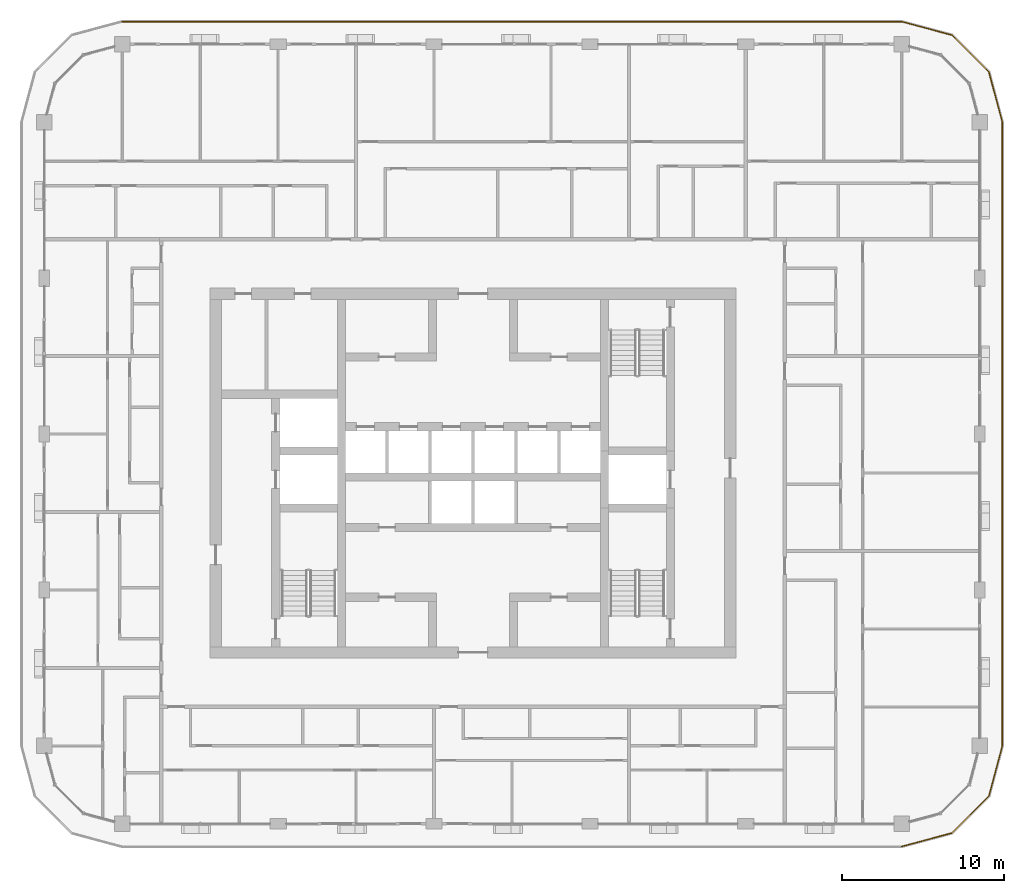
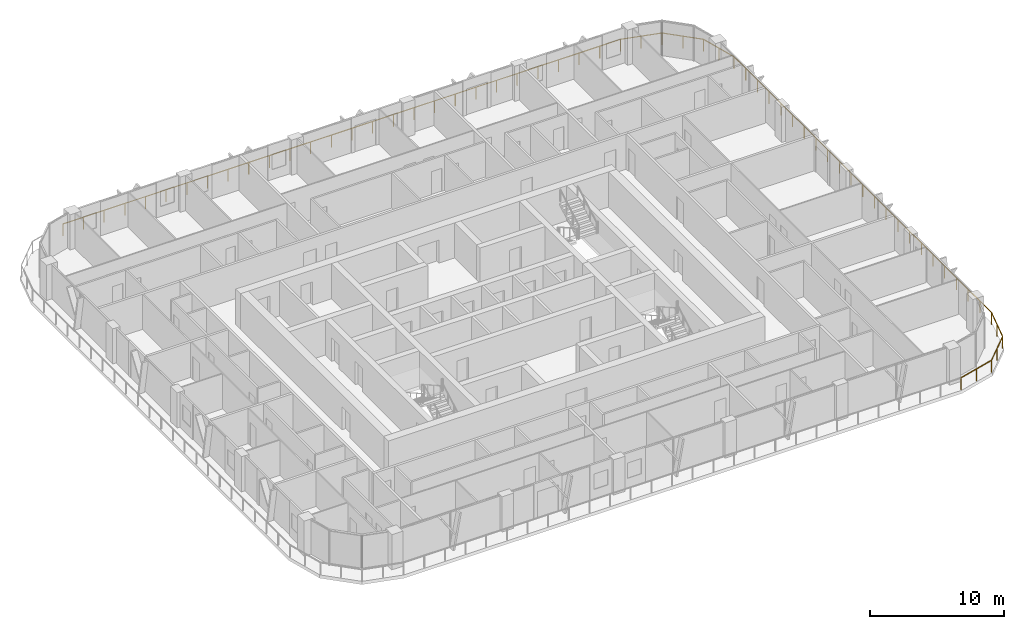
# One storey, part 20 of 22: 1 railing.
"""IFC4 building model written with IfcOpenShell, lengths in metres."""

from ifc_helpers import new_model, si_unit, direction, frame, origin, origin_2d, place, context, subcontext, project, spatial, circle, extrude, material, type_object, element, save


model = new_model("IFC4")

# Units and contexts
model_context = context("Model", 3, precision=1e-05, world=origin(), true_north=direction((0.0, 1.0)))
body_context = subcontext(model_context, "Body", "Model", "MODEL_VIEW")
ifc_project = project(units=[si_unit("LENGTHUNIT", "METRE"), si_unit("AREAUNIT", "SQUARE_METRE"), si_unit("VOLUMEUNIT", "CUBIC_METRE"), si_unit("PLANEANGLEUNIT", "RADIAN"), si_unit("MASSUNIT", "GRAM", prefix="KILO")], contexts=[model_context])

# Site, building, storey
site_placement = place(None, origin())
site = spatial("IfcSite", under=ifc_project, at=site_placement, CompositionType="ELEMENT")
building_placement = place(site_placement, origin())
building = spatial("IfcBuilding", under=site, at=building_placement, Name="Madar Terraces", CompositionType="ELEMENT")
storey_placement = place(building_placement, frame((0.0, 0.0, 208.800048828125)))
storey = spatial("IfcBuildingStorey", under=building, at=storey_placement, Name="L54", CompositionType="ELEMENT", Elevation=208.800048828125)

# Railing
ifc_material = material(Name="Glass, safety glazing, with stainless steel posts", Category="steel")
railing_type = type_object("IfcRailingType", Name="Balcony glass guard 1100", PredefinedType="GUARDRAIL", material=ifc_material)
railing_placement = place(storey_placement, frame((57.60009765625, 3.39990234375, 0.0)))
element("IfcRailing", 1, at=railing_placement, inside=storey, type_object=railing_type, Name="Balcony guard", PredefinedType="GUARDRAIL", context=body_context, shape_type="SweptSolid", body=[
    extrude(circle(Radius=0.02392578125, at=origin_2d()), frame((0.0, 0.0, 1.076171875), z_axis=(0.965909675762, 0.25887931217, 0.0), x_axis=(-0.25887931217, 0.965909675762, 0.0)), (0.0, 0.0, 1.0), 3.209228515625),
    extrude(circle(Radius=0.02392578125, at=origin_2d()), frame((3.099853515625, 0.830810546875, 1.076171875), z_axis=(0.707144815061, 0.707068745266, 0.0), x_axis=(-0.707068745266, 0.707144815061, 0.0)), (0.0, 0.0, 1.0), 3.20947265625),
    extrude(circle(Radius=0.02392578125, at=origin_2d()), frame((5.369384765625, 3.10009765625, 1.076171875), z_axis=(0.258789317819, 0.9659337912, 0.0), x_axis=(-0.9659337912, 0.258789317819, 0.0)), (0.0, 0.0, 1.0), 3.20947265625),
    extrude(circle(Radius=0.02392578125, at=origin_2d()), frame((6.199951171875, 6.2001953125, 1.076171875), z_axis=(0.0, 1.0, 0.0), x_axis=(-1.0, 0.0, 0.0)), (0.0, 0.0, 1.0), 38.39990234375),
    extrude(circle(Radius=0.02392578125, at=origin_2d()), frame((6.199951171875, 44.60009765625, 1.076171875), z_axis=(-0.258789317819, 0.9659337912, 0.0), x_axis=(-0.9659337912, -0.258789317819, 0.0)), (0.0, 0.0, 1.0), 3.20947265625),
    extrude(circle(Radius=0.02392578125, at=origin_2d()), frame((5.369384765625, 47.7001953125, 1.076171875), z_axis=(-0.707144815061, 0.707068745266, 0.0), x_axis=(-0.707068745266, -0.707144815061, 0.0)), (0.0, 0.0, 1.0), 3.20947265625),
    extrude(circle(Radius=0.02392578125, at=origin_2d()), frame((3.099853515625, 49.969482421875, 1.076171875), z_axis=(-0.965928696102, 0.258808334578, 0.0), x_axis=(-0.258808334578, -0.965928696102, 0.0)), (0.0, 0.0, 1.0), 3.209228515625),
    extrude(circle(Radius=0.02392578125, at=origin_2d()), frame((0.0, 50.800048828125, 1.076171875), z_axis=(-1.0, 0.0, 0.0), x_axis=(0.0, -1.0, 0.0)), (0.0, 0.0, 1.0), 48.0),
    extrude(circle(Radius=0.02099609375, at=origin_2d()), origin(), (0.0, 0.0, 1.0), 1.052001953125),
    extrude(circle(Radius=0.02099609375, at=origin_2d()), frame((1.5498046875, 0.41552734375, 0.0)), (0.0, 0.0, 1.0), 1.052001953125),
    extrude(circle(Radius=0.02099609375, at=origin_2d()), frame((3.099853515625, 0.830810546875, 0.0)), (0.0, 0.0, 1.0), 1.052001953125),
    extrude(circle(Radius=0.02099609375, at=origin_2d()), frame((4.234619140625, 1.96533203125, 0.0)), (0.0, 0.0, 1.0), 1.052001953125),
    extrude(circle(Radius=0.02099609375, at=origin_2d()), frame((5.369384765625, 3.10009765625, 0.0)), (0.0, 0.0, 1.0), 1.052001953125),
    extrude(circle(Radius=0.02099609375, at=origin_2d()), frame((5.78466796875, 4.650146484375, 0.0)), (0.0, 0.0, 1.0), 1.052001953125),
    extrude(circle(Radius=0.02099609375, at=origin_2d()), frame((6.199951171875, 6.2001953125, 0.0)), (0.0, 0.0, 1.0), 1.052001953125),
    extrude(circle(Radius=0.02099609375, at=origin_2d()), frame((6.199951171875, 7.945556640625, 0.0)), (0.0, 0.0, 1.0), 1.052001953125),
    extrude(circle(Radius=0.02099609375, at=origin_2d()), frame((6.199951171875, 9.691162109375, 0.0)), (0.0, 0.0, 1.0), 1.052001953125),
    extrude(circle(Radius=0.02099609375, at=origin_2d()), frame((6.199951171875, 11.4365234375, 0.0)), (0.0, 0.0, 1.0), 1.052001953125),
    extrude(circle(Radius=0.02099609375, at=origin_2d()), frame((6.199951171875, 13.181884765625, 0.0)), (0.0, 0.0, 1.0), 1.052001953125),
    extrude(circle(Radius=0.02099609375, at=origin_2d()), frame((6.199951171875, 14.927490234375, 0.0)), (0.0, 0.0, 1.0), 1.052001953125),
    extrude(circle(Radius=0.02099609375, at=origin_2d()), frame((6.199951171875, 16.6728515625, 0.0)), (0.0, 0.0, 1.0), 1.052001953125),
    extrude(circle(Radius=0.02099609375, at=origin_2d()), frame((6.199951171875, 18.41845703125, 0.0)), (0.0, 0.0, 1.0), 1.052001953125),
    extrude(circle(Radius=0.02099609375, at=origin_2d()), frame((6.199951171875, 20.163818359375, 0.0)), (0.0, 0.0, 1.0), 1.052001953125),
    extrude(circle(Radius=0.02099609375, at=origin_2d()), frame((6.199951171875, 21.9091796875, 0.0)), (0.0, 0.0, 1.0), 1.052001953125),
    extrude(circle(Radius=0.02099609375, at=origin_2d()), frame((6.199951171875, 23.65478515625, 0.0)), (0.0, 0.0, 1.0), 1.052001953125),
    extrude(circle(Radius=0.02099609375, at=origin_2d()), frame((6.199951171875, 25.400146484375, 0.0)), (0.0, 0.0, 1.0), 1.052001953125),
    extrude(circle(Radius=0.02099609375, at=origin_2d()), frame((6.199951171875, 27.1455078125, 0.0)), (0.0, 0.0, 1.0), 1.052001953125),
    extrude(circle(Radius=0.02099609375, at=origin_2d()), frame((6.199951171875, 28.89111328125, 0.0)), (0.0, 0.0, 1.0), 1.052001953125),
    extrude(circle(Radius=0.02099609375, at=origin_2d()), frame((6.199951171875, 30.636474609375, 0.0)), (0.0, 0.0, 1.0), 1.052001953125),
    extrude(circle(Radius=0.02099609375, at=origin_2d()), frame((6.199951171875, 32.3818359375, 0.0)), (0.0, 0.0, 1.0), 1.052001953125),
    extrude(circle(Radius=0.02099609375, at=origin_2d()), frame((6.199951171875, 34.12744140625, 0.0)), (0.0, 0.0, 1.0), 1.052001953125),
    extrude(circle(Radius=0.02099609375, at=origin_2d()), frame((6.199951171875, 35.872802734375, 0.0)), (0.0, 0.0, 1.0), 1.052001953125),
    extrude(circle(Radius=0.02099609375, at=origin_2d()), frame((6.199951171875, 37.618408203125, 0.0)), (0.0, 0.0, 1.0), 1.052001953125),
    extrude(circle(Radius=0.02099609375, at=origin_2d()), frame((6.199951171875, 39.36376953125, 0.0)), (0.0, 0.0, 1.0), 1.052001953125),
    extrude(circle(Radius=0.02099609375, at=origin_2d()), frame((6.199951171875, 41.109130859375, 0.0)), (0.0, 0.0, 1.0), 1.052001953125),
    extrude(circle(Radius=0.02099609375, at=origin_2d()), frame((6.199951171875, 42.854736328125, 0.0)), (0.0, 0.0, 1.0), 1.052001953125),
    extrude(circle(Radius=0.02099609375, at=origin_2d()), frame((6.199951171875, 44.60009765625, 0.0)), (0.0, 0.0, 1.0), 1.052001953125),
    extrude(circle(Radius=0.02099609375, at=origin_2d()), frame((5.78466796875, 46.150146484375, 0.0)), (0.0, 0.0, 1.0), 1.052001953125),
    extrude(circle(Radius=0.02099609375, at=origin_2d()), frame((5.369384765625, 47.7001953125, 0.0)), (0.0, 0.0, 1.0), 1.052001953125),
    extrude(circle(Radius=0.02099609375, at=origin_2d()), frame((4.234619140625, 48.8349609375, 0.0)), (0.0, 0.0, 1.0), 1.052001953125),
    extrude(circle(Radius=0.02099609375, at=origin_2d()), frame((3.099853515625, 49.969482421875, 0.0)), (0.0, 0.0, 1.0), 1.052001953125),
    extrude(circle(Radius=0.02099609375, at=origin_2d()), frame((1.5498046875, 50.384765625, 0.0)), (0.0, 0.0, 1.0), 1.052001953125),
    extrude(circle(Radius=0.02099609375, at=origin_2d()), frame((0.0, 50.800048828125, 0.0)), (0.0, 0.0, 1.0), 1.052001953125),
    extrude(circle(Radius=0.02099609375, at=origin_2d()), frame((-1.77783203125, 50.800048828125, 0.0)), (0.0, 0.0, 1.0), 1.052001953125),
    extrude(circle(Radius=0.02099609375, at=origin_2d()), frame((-3.5556640625, 50.800048828125, 0.0)), (0.0, 0.0, 1.0), 1.052001953125),
    extrude(circle(Radius=0.02099609375, at=origin_2d()), frame((-5.333251953125, 50.800048828125, 0.0)), (0.0, 0.0, 1.0), 1.052001953125),
    extrude(circle(Radius=0.02099609375, at=origin_2d()), frame((-7.111083984375, 50.800048828125, 0.0)), (0.0, 0.0, 1.0), 1.052001953125),
    extrude(circle(Radius=0.02099609375, at=origin_2d()), frame((-8.888916015625, 50.800048828125, 0.0)), (0.0, 0.0, 1.0), 1.052001953125),
    extrude(circle(Radius=0.02099609375, at=origin_2d()), frame((-10.666748046875, 50.800048828125, 0.0)), (0.0, 0.0, 1.0), 1.052001953125),
    extrude(circle(Radius=0.02099609375, at=origin_2d()), frame((-12.4443359375, 50.800048828125, 0.0)), (0.0, 0.0, 1.0), 1.052001953125),
    extrude(circle(Radius=0.02099609375, at=origin_2d()), frame((-14.22216796875, 50.800048828125, 0.0)), (0.0, 0.0, 1.0), 1.052001953125),
    extrude(circle(Radius=0.02099609375, at=origin_2d()), frame((-16.0, 50.800048828125, 0.0)), (0.0, 0.0, 1.0), 1.052001953125),
    extrude(circle(Radius=0.02099609375, at=origin_2d()), frame((-17.77783203125, 50.800048828125, 0.0)), (0.0, 0.0, 1.0), 1.052001953125),
    extrude(circle(Radius=0.02099609375, at=origin_2d()), frame((-19.5556640625, 50.800048828125, 0.0)), (0.0, 0.0, 1.0), 1.052001953125),
    extrude(circle(Radius=0.02099609375, at=origin_2d()), frame((-21.333251953125, 50.800048828125, 0.0)), (0.0, 0.0, 1.0), 1.052001953125),
    extrude(circle(Radius=0.02099609375, at=origin_2d()), frame((-23.111083984375, 50.800048828125, 0.0)), (0.0, 0.0, 1.0), 1.052001953125),
    extrude(circle(Radius=0.02099609375, at=origin_2d()), frame((-24.888916015625, 50.800048828125, 0.0)), (0.0, 0.0, 1.0), 1.052001953125),
    extrude(circle(Radius=0.02099609375, at=origin_2d()), frame((-26.666748046875, 50.800048828125, 0.0)), (0.0, 0.0, 1.0), 1.052001953125),
    extrude(circle(Radius=0.02099609375, at=origin_2d()), frame((-28.4443359375, 50.800048828125, 0.0)), (0.0, 0.0, 1.0), 1.052001953125),
    extrude(circle(Radius=0.02099609375, at=origin_2d()), frame((-30.22216796875, 50.800048828125, 0.0)), (0.0, 0.0, 1.0), 1.052001953125),
    extrude(circle(Radius=0.02099609375, at=origin_2d()), frame((-32.0, 50.800048828125, 0.0)), (0.0, 0.0, 1.0), 1.052001953125),
    extrude(circle(Radius=0.02099609375, at=origin_2d()), frame((-33.77783203125, 50.800048828125, 0.0)), (0.0, 0.0, 1.0), 1.052001953125),
    extrude(circle(Radius=0.02099609375, at=origin_2d()), frame((-35.5556640625, 50.800048828125, 0.0)), (0.0, 0.0, 1.0), 1.052001953125),
    extrude(circle(Radius=0.02099609375, at=origin_2d()), frame((-37.333251953125, 50.800048828125, 0.0)), (0.0, 0.0, 1.0), 1.052001953125),
    extrude(circle(Radius=0.02099609375, at=origin_2d()), frame((-39.111083984375, 50.800048828125, 0.0)), (0.0, 0.0, 1.0), 1.052001953125),
    extrude(circle(Radius=0.02099609375, at=origin_2d()), frame((-40.888916015625, 50.800048828125, 0.0)), (0.0, 0.0, 1.0), 1.052001953125),
    extrude(circle(Radius=0.02099609375, at=origin_2d()), frame((-42.666748046875, 50.800048828125, 0.0)), (0.0, 0.0, 1.0), 1.052001953125),
    extrude(circle(Radius=0.02099609375, at=origin_2d()), frame((-44.4443359375, 50.800048828125, 0.0)), (0.0, 0.0, 1.0), 1.052001953125),
    extrude(circle(Radius=0.02099609375, at=origin_2d()), frame((-46.22216796875, 50.800048828125, 0.0)), (0.0, 0.0, 1.0), 1.052001953125),
    extrude(circle(Radius=0.02099609375, at=origin_2d()), frame((-48.0, 50.800048828125, 0.0)), (0.0, 0.0, 1.0), 1.052001953125),
])

save(model, "model.ifc")
